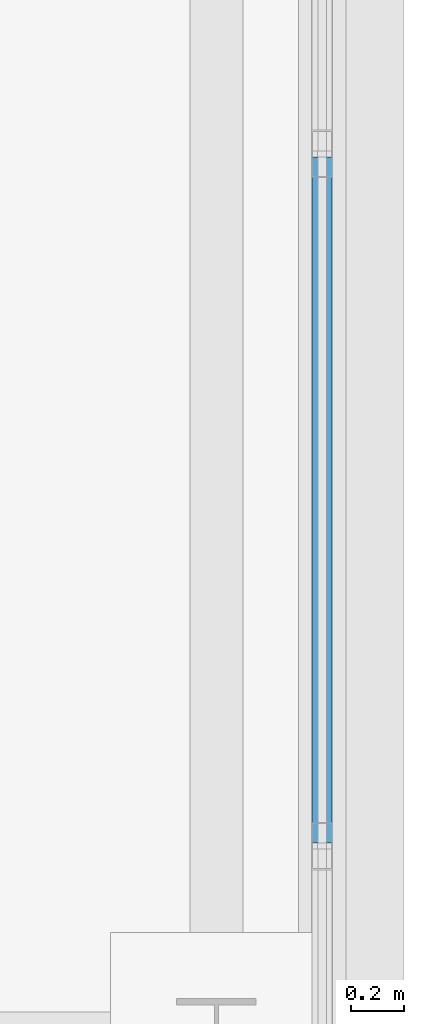
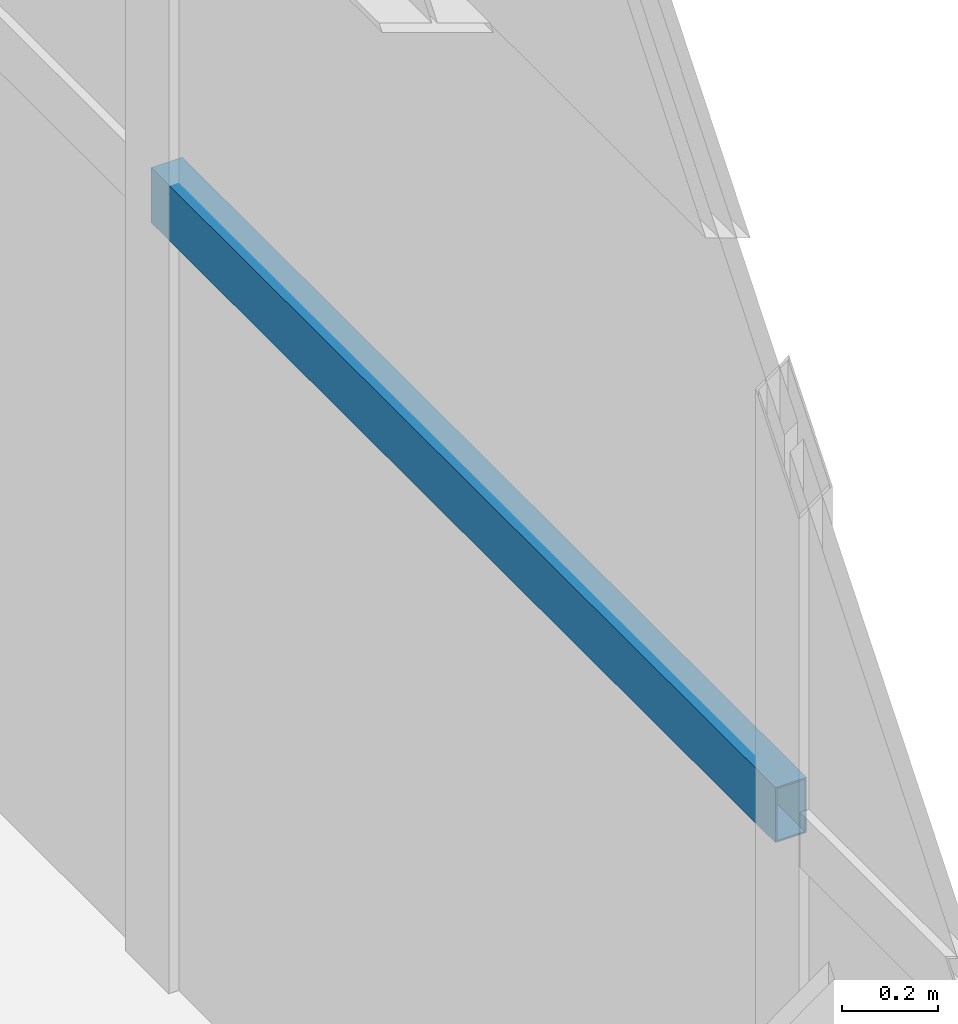
# One storey, part 16 of 38: 1 member, 1 element without a shape of its own.
"""IFC4 building model written with IfcOpenShell, lengths in metres."""

from ifc_helpers import new_model, si_unit, direction, frame, origin, origin_2d, place, context, subcontext, project, spatial, hollow_rectangle, extrude, source, transform, mapped, material, material_profile, profile_set, type_object, element, aggregate, save


model = new_model("IFC4")

# Units and contexts
model_context = context("Model", 3, precision=1e-05, world=origin(), true_north=direction((0.0, 1.0)))
body_context = subcontext(model_context, "Body", "Model", "MODEL_VIEW")
ifc_project = project(units=[si_unit("LENGTHUNIT", "METRE"), si_unit("AREAUNIT", "SQUARE_METRE"), si_unit("VOLUMEUNIT", "CUBIC_METRE"), si_unit("PLANEANGLEUNIT", "RADIAN"), si_unit("MASSUNIT", "GRAM", prefix="KILO")], contexts=[model_context])

# Site, building, storey
site_placement = place(None, origin())
site = spatial("IfcSite", under=ifc_project, at=site_placement, CompositionType="ELEMENT")
building_placement = place(site_placement, origin())
building = spatial("IfcBuilding", under=site, at=building_placement, Name="Trelvane Seafront Commons", CompositionType="ELEMENT")
storey_placement = place(building_placement, frame((0.0, 0.0, 299.10009765625)))
storey = spatial("IfcBuildingStorey", under=building, at=storey_placement, Name="L78", CompositionType="ELEMENT", Elevation=299.10009765625)

# Curtain wall, member
ifc_material = material(Name="Anodised pale-silver aluminium", Category="aluminium")
curtain_wall_type = type_object("IfcCurtainWallType", Name="ARCH-CW6-CROWN", PredefinedType="NOTDEFINED", material=ifc_material)
curtain_wall_placement = place(storey_placement, origin())
curtain_wall = element("IfcCurtainWall", 1, at=curtain_wall_placement, inside=storey, type_object=curtain_wall_type, Name="CW-L78-0126", PredefinedType="NOTDEFINED")
ifc_material_profile = material_profile(ifc_material, hollow_rectangle(XDim=0.074951171875, YDim=0.139892578125, WallThickness=0.00390625, at=origin_2d()), Name="TRAN-75x140x4")
ifc_profile_set = profile_set([ifc_material_profile], Name="Anodised pale-silver aluminium")
member_type = type_object("IfcMemberType", Name="ARCH-CW-TRAN-140", PredefinedType="USERDEFINED", material=ifc_profile_set)
shared_shape = source(origin(), body_context, "Body", "SweptSolid", [
    extrude(hollow_rectangle(XDim=0.074951171875, YDim=0.139892578125, WallThickness=0.00390625, at=origin_2d()), origin(), (0.0, 0.0, 1.0), 2.593994140625),
])
member_placement = place(storey_placement, frame((66.0, 36.7333984375, 1.977783203125), z_axis=(0.0, -1.0, 0.0), x_axis=(1.0, 0.0, 0.0)))
member = element("IfcMember", 2, at=member_placement, type_object=member_type, Name="CW-L78-0126-T03", ObjectType="TRANSOM", PredefinedType="USERDEFINED", context=body_context, shape_type="MappedRepresentation", body=[
    mapped(shared_shape, transform((0.0, 0.0, 0.0), x_axis=(1.0, 0.0, 0.0), y_axis=(0.0, 1.0, 0.0), z_axis=(0.0, 0.0, 1.0), scale=1.0)),
])
aggregate(curtain_wall, [member])

save(model, "model.ifc")
